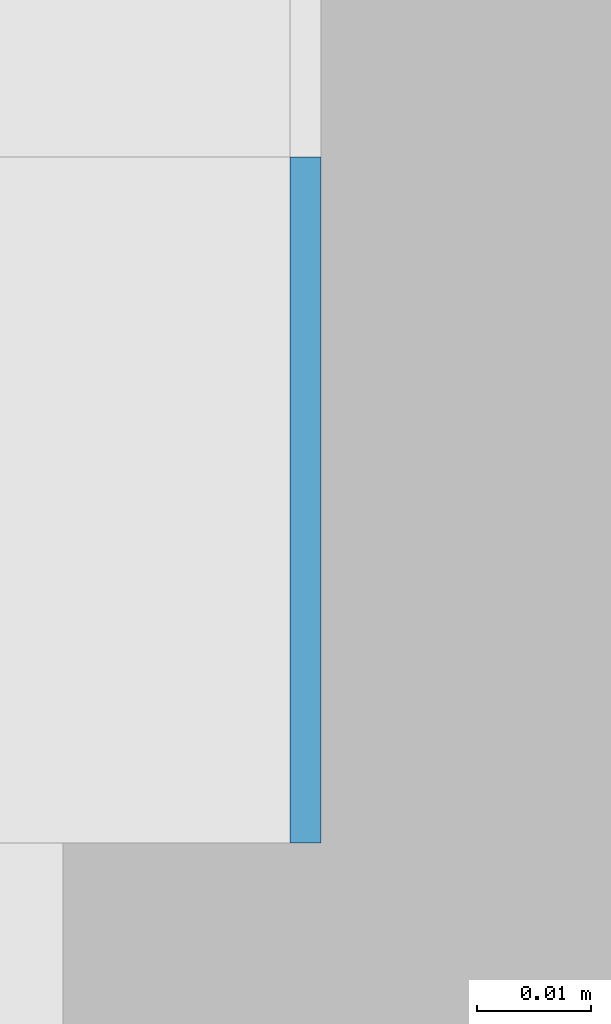
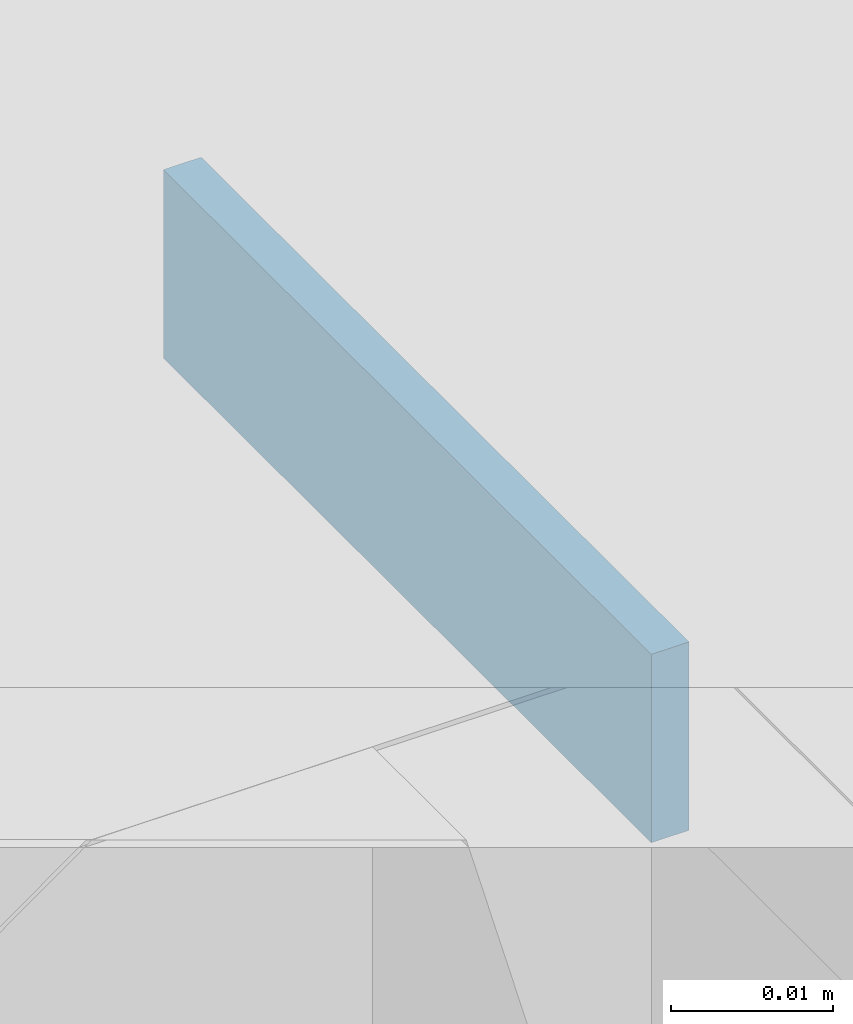
# One storey, part 395 of 646: 1 discrete accessory.
"""IFC4 building model written with IfcOpenShell, lengths in metres."""

from ifc_helpers import new_model, si_unit, direction, frame, origin, origin_2d, place, context, subcontext, project, spatial, rectangle, extrude, material, type_object, element, save


model = new_model("IFC4")

# Units and contexts
model_context = context("Model", 3, precision=1e-05, world=origin(), true_north=direction((0.0, 1.0)))
body_context = subcontext(model_context, "Body", "Model", "MODEL_VIEW")
ifc_project = project(units=[si_unit("LENGTHUNIT", "METRE"), si_unit("AREAUNIT", "SQUARE_METRE"), si_unit("VOLUMEUNIT", "CUBIC_METRE"), si_unit("PLANEANGLEUNIT", "RADIAN"), si_unit("MASSUNIT", "GRAM", prefix="KILO")], contexts=[model_context])

# Site, building, storey
site_placement = place(None, origin())
site = spatial("IfcSite", under=ifc_project, at=site_placement, CompositionType="ELEMENT")
building_placement = place(site_placement, origin())
building = spatial("IfcBuilding", under=site, at=building_placement, Name="Silverbay Arena", CompositionType="ELEMENT")
storey_placement = place(building_placement, frame((0.0, 0.0, 33.5)))
storey = spatial("IfcBuildingStorey", under=building, at=storey_placement, Name="L05", CompositionType="ELEMENT", Elevation=33.5)

# Discrete accessory
ifc_material = material(Name="Steel S355", Category="steel")
discrete_accessory_type = type_object("IfcDiscreteAccessoryType", Name="Steel bracket plate", PredefinedType="BRACKET", material=ifc_material)
discrete_accessory_placement = place(storey_placement, frame((53.871337890625, 116.969970703125, 12.98583984375), z_axis=(0.0, 0.0, 1.0), x_axis=(1.0, 0.0, 0.0)))
element("IfcDiscreteAccessory", 1, at=discrete_accessory_placement, inside=storey, type_object=discrete_accessory_type, Name="Curtain wall packing plate", PredefinedType="BRACKET", context=body_context, shape_type="SweptSolid", body=[
    extrude(rectangle(XDim=0.002685546875, YDim=0.06005859375, at=origin_2d()), origin(), (0.0, 0.0, 1.0), 0.01416015625),
])

save(model, "model.ifc")
